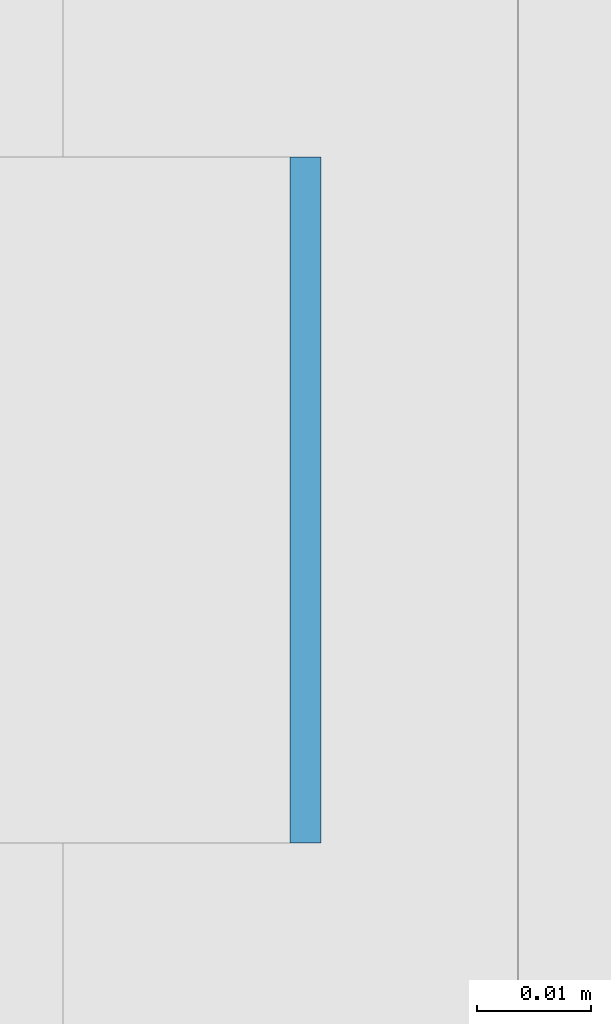
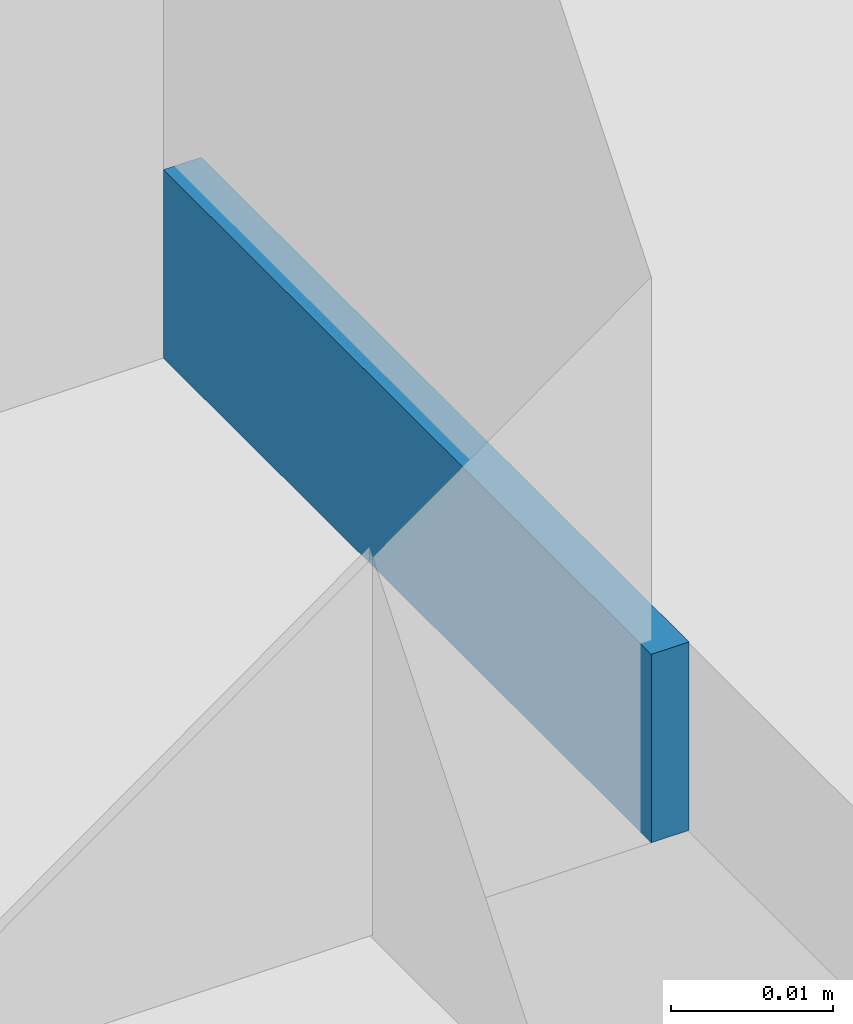
# One storey, part 344 of 646: 1 discrete accessory.
"""IFC4 building model written with IfcOpenShell, lengths in metres."""

from ifc_helpers import new_model, si_unit, direction, frame, origin, origin_2d, place, context, subcontext, project, spatial, rectangle, extrude, material, type_object, element, save


model = new_model("IFC4")

# Units and contexts
model_context = context("Model", 3, precision=1e-05, world=origin(), true_north=direction((0.0, 1.0)))
body_context = subcontext(model_context, "Body", "Model", "MODEL_VIEW")
ifc_project = project(units=[si_unit("LENGTHUNIT", "METRE"), si_unit("AREAUNIT", "SQUARE_METRE"), si_unit("VOLUMEUNIT", "CUBIC_METRE"), si_unit("PLANEANGLEUNIT", "RADIAN"), si_unit("MASSUNIT", "GRAM", prefix="KILO")], contexts=[model_context])

# Site, building, storey
site_placement = place(None, origin())
site = spatial("IfcSite", under=ifc_project, at=site_placement, CompositionType="ELEMENT")
building_placement = place(site_placement, origin())
building = spatial("IfcBuilding", under=site, at=building_placement, Name="Silverbay Arena", CompositionType="ELEMENT")
storey_placement = place(building_placement, frame((0.0, 0.0, 33.5)))
storey = spatial("IfcBuildingStorey", under=building, at=storey_placement, Name="L05", CompositionType="ELEMENT", Elevation=33.5)

# Discrete accessory
ifc_material = material(Name="Steel S355", Category="steel")
discrete_accessory_type = type_object("IfcDiscreteAccessoryType", Name="Steel bracket plate", PredefinedType="BRACKET", material=ifc_material)
discrete_accessory_placement = place(storey_placement, frame((53.871337890625, 87.428466796875, 4.0), z_axis=(0.0, 0.0, 1.0), x_axis=(1.0, 0.0, 0.0)))
element("IfcDiscreteAccessory", 1, at=discrete_accessory_placement, inside=storey, type_object=discrete_accessory_type, Name="Curtain wall packing plate", PredefinedType="BRACKET", context=body_context, shape_type="SweptSolid", body=[
    extrude(rectangle(XDim=0.002685546875, YDim=0.06005859375, at=origin_2d()), origin(), (0.0, 0.0, 1.0), 0.01416015625),
])

save(model, "model.ifc")
